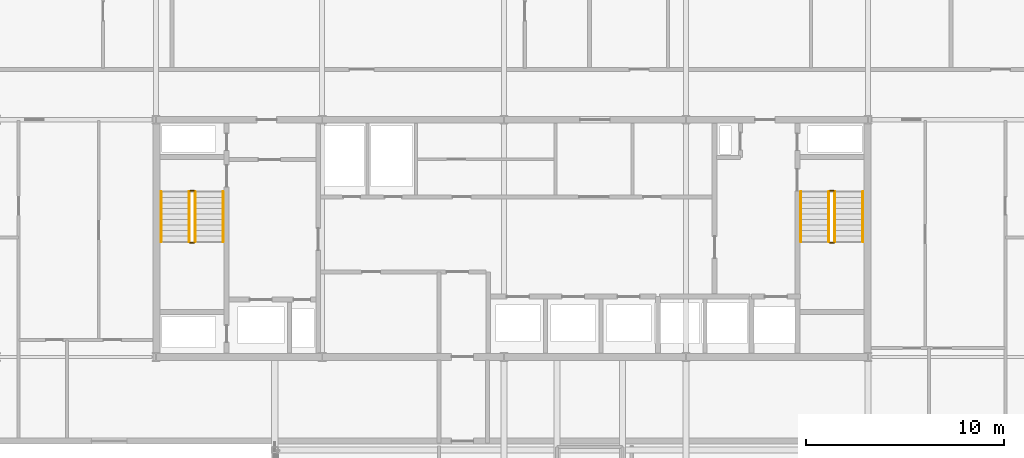
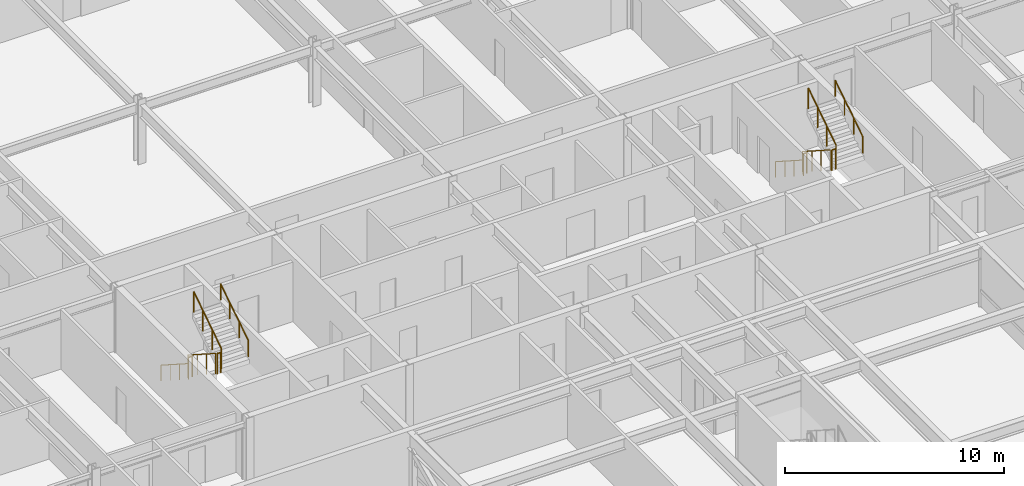
# One storey, part 35 of 36: 12 railings.
"""IFC4 building model written with IfcOpenShell, lengths in metres."""

from ifc_helpers import new_model, si_unit, direction, frame, origin, origin_2d, place, context, subcontext, project, spatial, circle, extrude, material, type_object, element, save


model = new_model("IFC4")

# Units and contexts
model_context = context("Model", 3, precision=1e-05, world=origin(), true_north=direction((0.0, 1.0)))
body_context = subcontext(model_context, "Body", "Model", "MODEL_VIEW")
ifc_project = project(units=[si_unit("LENGTHUNIT", "METRE"), si_unit("AREAUNIT", "SQUARE_METRE"), si_unit("VOLUMEUNIT", "CUBIC_METRE"), si_unit("PLANEANGLEUNIT", "RADIAN"), si_unit("MASSUNIT", "GRAM", prefix="KILO")], contexts=[model_context])

# Site, building, storey
site_placement = place(None, origin())
site = spatial("IfcSite", under=ifc_project, at=site_placement, CompositionType="ELEMENT")
building_placement = place(site_placement, origin())
building = spatial("IfcBuilding", under=site, at=building_placement, Name="Korimba Cascade Residences", CompositionType="ELEMENT")
storey_placement = place(building_placement, frame((0.0, 0.0, 142.89990234375)))
storey = spatial("IfcBuildingStorey", under=building, at=storey_placement, Name="L41", CompositionType="ELEMENT", Elevation=142.89990234375)

# Railings
ifc_material_1 = material(Name="Painted Steel Stairwell Guardrail", Category="steel")
railing_type_1 = type_object("IfcRailingType", Name="RLG-ST-GD1150", PredefinedType="GUARDRAIL", material=ifc_material_1)
railing_1_placement = place(storey_placement, frame((77.77001953125, 63.550048828125, 0.18017578125)))
element("IfcRailing", 1, at=railing_1_placement, inside=storey, type_object=railing_type_1, Name="L41 ST-W1 stair guard 1", PredefinedType="GUARDRAIL", context=body_context, shape_type="SweptSolid", body=[
    extrude(circle(Radius=0.02392578125, at=origin_2d()), frame((0.0, 0.0, 1.1259765625), z_axis=(0.0, -0.841199657755, 0.540724639528), x_axis=(1.0, 0.0, 0.0)), (0.0, 0.0, 1.0), 2.995849609375),
    extrude(circle(Radius=0.02099609375, at=origin_2d()), origin(), (0.0, 0.0, 1.0), 1.101806640625),
    extrude(circle(Radius=0.02099609375, at=origin_2d()), frame((0.0, -0.840087890625, 0.5400390625)), (0.0, 0.0, 1.0), 1.101806640625),
    extrude(circle(Radius=0.02099609375, at=origin_2d()), frame((0.0, -1.679931640625, 1.079833984375)), (0.0, 0.0, 1.0), 1.101806640625),
    extrude(circle(Radius=0.02099609375, at=origin_2d()), frame((0.0, -2.52001953125, 1.619873046875)), (0.0, 0.0, 1.0), 1.101806640625),
])
railing_2_placement = place(storey_placement, frame((77.820068359375, 60.97998046875, 1.800048828125)))
element("IfcRailing", 2, at=railing_2_placement, inside=storey, type_object=railing_type_1, Name="L41 ST-W1 stair guard 2", PredefinedType="GUARDRAIL", context=body_context, shape_type="SweptSolid", body=[
    extrude(circle(Radius=0.02392578125, at=origin_2d()), frame((0.0, 0.0, 1.1259765625), z_axis=(1.0, 0.0, 0.0), x_axis=(0.0, 1.0, 0.0)), (0.0, 0.0, 1.0), 0.199951171875),
    extrude(circle(Radius=0.02099609375, at=origin_2d()), origin(), (0.0, 0.0, 1.0), 1.101806640625),
    extrude(circle(Radius=0.02099609375, at=origin_2d()), frame((0.199951171875, 0.0, 0.0)), (0.0, 0.0, 1.0), 1.101806640625),
])
railing_3_placement = place(storey_placement, frame((78.070068359375, 61.030029296875, 1.97998046875)))
element("IfcRailing", 3, at=railing_3_placement, inside=storey, type_object=railing_type_1, Name="L41 ST-W1 stair guard 3", PredefinedType="GUARDRAIL", context=body_context, shape_type="SweptSolid", body=[
    extrude(circle(Radius=0.02392578125, at=origin_2d()), frame((0.0, 0.0, 1.1259765625), z_axis=(0.0, 0.841162588446, 0.540782303519), x_axis=(-1.0, 0.0, 0.0)), (0.0, 0.0, 1.0), 2.995849609375),
    extrude(circle(Radius=0.02099609375, at=origin_2d()), origin(), (0.0, 0.0, 1.0), 1.101806640625),
    extrude(circle(Radius=0.02099609375, at=origin_2d()), frame((0.0, 0.840087890625, 0.5400390625)), (0.0, 0.0, 1.0), 1.101806640625),
    extrude(circle(Radius=0.02099609375, at=origin_2d()), frame((0.0, 1.679931640625, 1.080078125)), (0.0, 0.0, 1.0), 1.101806640625),
    extrude(circle(Radius=0.02099609375, at=origin_2d()), frame((0.0, 2.52001953125, 1.6201171875)), (0.0, 0.0, 1.0), 1.101806640625),
])
railing_4_placement = place(storey_placement, frame((77.820068359375, 63.60009765625, 0.0)))
element("IfcRailing", 4, at=railing_4_placement, inside=storey, type_object=railing_type_1, Name="L41 ST-W1 stair guard 4", PredefinedType="GUARDRAIL", context=body_context, shape_type="SweptSolid", body=[
    extrude(circle(Radius=0.02392578125, at=origin_2d()), frame((0.0, 0.0, 1.1259765625), z_axis=(1.0, 0.0, 0.0), x_axis=(0.0, 1.0, 0.0)), (0.0, 0.0, 1.0), 0.199951171875),
    extrude(circle(Radius=0.02099609375, at=origin_2d()), origin(), (0.0, 0.0, 1.0), 1.101806640625),
    extrude(circle(Radius=0.02099609375, at=origin_2d()), frame((0.199951171875, 0.0, 0.0)), (0.0, 0.0, 1.0), 1.101806640625),
])
railing_5_placement = place(storey_placement, frame((110.1298828125, 63.550048828125, 0.18017578125)))
element("IfcRailing", 5, at=railing_5_placement, inside=storey, type_object=railing_type_1, Name="L41 ST-W2 stair guard 1", PredefinedType="GUARDRAIL", context=body_context, shape_type="SweptSolid", body=[
    extrude(circle(Radius=0.02392578125, at=origin_2d()), frame((0.0, 0.0, 1.1259765625), z_axis=(0.0, -0.841199657755, 0.540724639528), x_axis=(1.0, 0.0, 0.0)), (0.0, 0.0, 1.0), 2.995849609375),
    extrude(circle(Radius=0.02099609375, at=origin_2d()), origin(), (0.0, 0.0, 1.0), 1.101806640625),
    extrude(circle(Radius=0.02099609375, at=origin_2d()), frame((0.0, -0.840087890625, 0.5400390625)), (0.0, 0.0, 1.0), 1.101806640625),
    extrude(circle(Radius=0.02099609375, at=origin_2d()), frame((0.0, -1.679931640625, 1.079833984375)), (0.0, 0.0, 1.0), 1.101806640625),
    extrude(circle(Radius=0.02099609375, at=origin_2d()), frame((0.0, -2.52001953125, 1.619873046875)), (0.0, 0.0, 1.0), 1.101806640625),
])
railing_6_placement = place(storey_placement, frame((110.179931640625, 60.97998046875, 1.800048828125)))
element("IfcRailing", 6, at=railing_6_placement, inside=storey, type_object=railing_type_1, Name="L41 ST-W2 stair guard 2", PredefinedType="GUARDRAIL", context=body_context, shape_type="SweptSolid", body=[
    extrude(circle(Radius=0.02392578125, at=origin_2d()), frame((0.0, 0.0, 1.1259765625), z_axis=(1.0, 0.0, 0.0), x_axis=(0.0, 1.0, 0.0)), (0.0, 0.0, 1.0), 0.199951171875),
    extrude(circle(Radius=0.02099609375, at=origin_2d()), origin(), (0.0, 0.0, 1.0), 1.101806640625),
    extrude(circle(Radius=0.02099609375, at=origin_2d()), frame((0.199951171875, 0.0, 0.0)), (0.0, 0.0, 1.0), 1.101806640625),
])
railing_7_placement = place(storey_placement, frame((110.429931640625, 61.030029296875, 1.97998046875)))
element("IfcRailing", 7, at=railing_7_placement, inside=storey, type_object=railing_type_1, Name="L41 ST-W2 stair guard 3", PredefinedType="GUARDRAIL", context=body_context, shape_type="SweptSolid", body=[
    extrude(circle(Radius=0.02392578125, at=origin_2d()), frame((0.0, 0.0, 1.1259765625), z_axis=(0.0, 0.841162588446, 0.540782303519), x_axis=(-1.0, 0.0, 0.0)), (0.0, 0.0, 1.0), 2.995849609375),
    extrude(circle(Radius=0.02099609375, at=origin_2d()), origin(), (0.0, 0.0, 1.0), 1.101806640625),
    extrude(circle(Radius=0.02099609375, at=origin_2d()), frame((0.0, 0.840087890625, 0.5400390625)), (0.0, 0.0, 1.0), 1.101806640625),
    extrude(circle(Radius=0.02099609375, at=origin_2d()), frame((0.0, 1.679931640625, 1.080078125)), (0.0, 0.0, 1.0), 1.101806640625),
    extrude(circle(Radius=0.02099609375, at=origin_2d()), frame((0.0, 2.52001953125, 1.6201171875)), (0.0, 0.0, 1.0), 1.101806640625),
])
railing_8_placement = place(storey_placement, frame((110.179931640625, 63.60009765625, 0.0)))
element("IfcRailing", 8, at=railing_8_placement, inside=storey, type_object=railing_type_1, Name="L41 ST-W2 stair guard 4", PredefinedType="GUARDRAIL", context=body_context, shape_type="SweptSolid", body=[
    extrude(circle(Radius=0.02392578125, at=origin_2d()), frame((0.0, 0.0, 1.1259765625), z_axis=(1.0, 0.0, 0.0), x_axis=(0.0, 1.0, 0.0)), (0.0, 0.0, 1.0), 0.199951171875),
    extrude(circle(Radius=0.02099609375, at=origin_2d()), origin(), (0.0, 0.0, 1.0), 1.101806640625),
    extrude(circle(Radius=0.02099609375, at=origin_2d()), frame((0.199951171875, 0.0, 0.0)), (0.0, 0.0, 1.0), 1.101806640625),
])
ifc_material_2 = material(Name="Brushed Stainless Steel Handrail", Category="steel")
railing_type_2 = type_object("IfcRailingType", Name="RLG-ST-HR900", PredefinedType="HANDRAIL", material=ifc_material_2)
railing_9_placement = place(storey_placement, frame((76.35009765625, 63.550048828125, 0.364013671875)))
element("IfcRailing", 9, at=railing_9_placement, inside=storey, type_object=railing_type_2, Name="L41 ST-W1 stair handrail 1", PredefinedType="HANDRAIL", context=body_context, shape_type="SweptSolid", body=[
    extrude(circle(Radius=0.02392578125, at=origin_2d()), frame((0.0, 0.0, 0.8759765625), z_axis=(0.0, -0.841199657755, 0.540724639528), x_axis=(1.0, 0.0, 0.0)), (0.0, 0.0, 1.0), 2.995849609375),
    extrude(circle(Radius=0.02099609375, at=origin_2d()), origin(), (0.0, 0.0, 1.0), 0.851806640625),
    extrude(circle(Radius=0.02099609375, at=origin_2d()), frame((0.0, -0.840087890625, 0.5400390625)), (0.0, 0.0, 1.0), 0.851806640625),
    extrude(circle(Radius=0.02099609375, at=origin_2d()), frame((0.0, -1.679931640625, 1.079833984375)), (0.0, 0.0, 1.0), 0.851806640625),
    extrude(circle(Radius=0.02099609375, at=origin_2d()), frame((0.0, -2.52001953125, 1.619873046875)), (0.0, 0.0, 1.0), 0.851806640625),
])
railing_10_placement = place(storey_placement, frame((79.489990234375, 61.030029296875, 2.163818359375)))
element("IfcRailing", 10, at=railing_10_placement, inside=storey, type_object=railing_type_2, Name="L41 ST-W1 stair handrail 2", PredefinedType="HANDRAIL", context=body_context, shape_type="SweptSolid", body=[
    extrude(circle(Radius=0.02392578125, at=origin_2d()), frame((0.0, 0.0, 0.8759765625), z_axis=(0.0, 0.841162588446, 0.540782303519), x_axis=(-1.0, 0.0, 0.0)), (0.0, 0.0, 1.0), 2.995849609375),
    extrude(circle(Radius=0.02099609375, at=origin_2d()), origin(), (0.0, 0.0, 1.0), 0.851806640625),
    extrude(circle(Radius=0.02099609375, at=origin_2d()), frame((0.0, 0.840087890625, 0.5400390625)), (0.0, 0.0, 1.0), 0.851806640625),
    extrude(circle(Radius=0.02099609375, at=origin_2d()), frame((0.0, 1.679931640625, 1.080078125)), (0.0, 0.0, 1.0), 0.851806640625),
    extrude(circle(Radius=0.02099609375, at=origin_2d()), frame((0.0, 2.52001953125, 1.6201171875)), (0.0, 0.0, 1.0), 0.851806640625),
])
railing_11_placement = place(storey_placement, frame((108.7099609375, 63.550048828125, 0.364013671875)))
element("IfcRailing", 11, at=railing_11_placement, inside=storey, type_object=railing_type_2, Name="L41 ST-W2 stair handrail 1", PredefinedType="HANDRAIL", context=body_context, shape_type="SweptSolid", body=[
    extrude(circle(Radius=0.02392578125, at=origin_2d()), frame((0.0, 0.0, 0.8759765625), z_axis=(0.0, -0.841199657755, 0.540724639528), x_axis=(1.0, 0.0, 0.0)), (0.0, 0.0, 1.0), 2.995849609375),
    extrude(circle(Radius=0.02099609375, at=origin_2d()), origin(), (0.0, 0.0, 1.0), 0.851806640625),
    extrude(circle(Radius=0.02099609375, at=origin_2d()), frame((0.0, -0.840087890625, 0.5400390625)), (0.0, 0.0, 1.0), 0.851806640625),
    extrude(circle(Radius=0.02099609375, at=origin_2d()), frame((0.0, -1.679931640625, 1.079833984375)), (0.0, 0.0, 1.0), 0.851806640625),
    extrude(circle(Radius=0.02099609375, at=origin_2d()), frame((0.0, -2.52001953125, 1.619873046875)), (0.0, 0.0, 1.0), 0.851806640625),
])
railing_12_placement = place(storey_placement, frame((111.85009765625, 61.030029296875, 2.163818359375)))
element("IfcRailing", 12, at=railing_12_placement, inside=storey, type_object=railing_type_2, Name="L41 ST-W2 stair handrail 2", PredefinedType="HANDRAIL", context=body_context, shape_type="SweptSolid", body=[
    extrude(circle(Radius=0.02392578125, at=origin_2d()), frame((0.0, 0.0, 0.8759765625), z_axis=(0.0, 0.841162588446, 0.540782303519), x_axis=(-1.0, 0.0, 0.0)), (0.0, 0.0, 1.0), 2.995849609375),
    extrude(circle(Radius=0.02099609375, at=origin_2d()), origin(), (0.0, 0.0, 1.0), 0.851806640625),
    extrude(circle(Radius=0.02099609375, at=origin_2d()), frame((0.0, 0.840087890625, 0.5400390625)), (0.0, 0.0, 1.0), 0.851806640625),
    extrude(circle(Radius=0.02099609375, at=origin_2d()), frame((0.0, 1.679931640625, 1.080078125)), (0.0, 0.0, 1.0), 0.851806640625),
    extrude(circle(Radius=0.02099609375, at=origin_2d()), frame((0.0, 2.52001953125, 1.6201171875)), (0.0, 0.0, 1.0), 0.851806640625),
])

save(model, "model.ifc")
